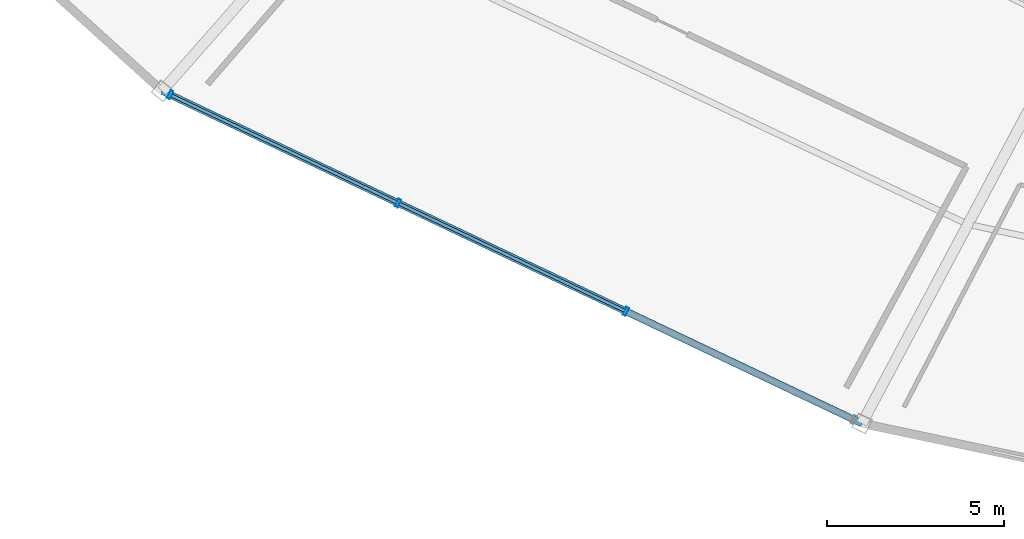
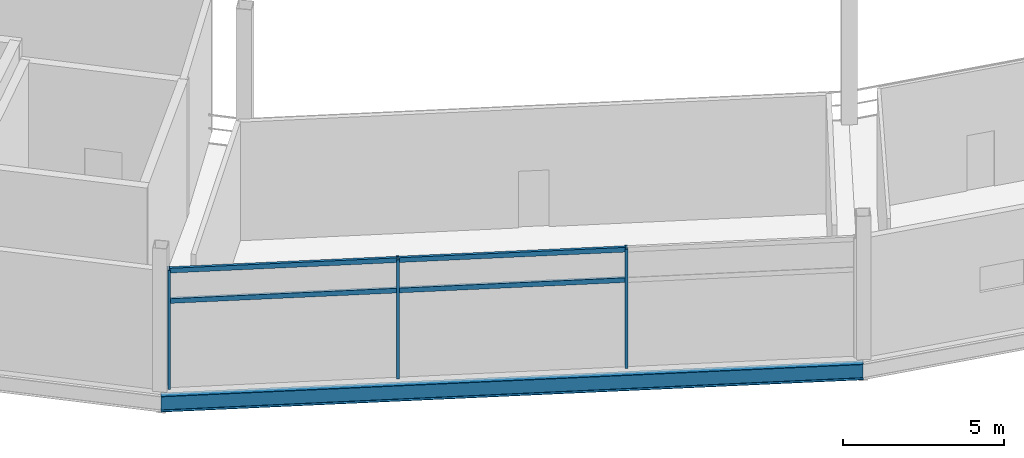
# One storey, part 13 of 103: 7 members, 1 beam, 1 element without a shape of its own.
"""IFC4 building model written with IfcOpenShell, lengths in metres."""

from ifc_helpers import new_model, si_unit, direction, frame, origin, origin_2d, place, context, subcontext, project, spatial, hollow_rectangle, i_section, extrude, material, layer, layer_set, material_profile, profile_set, type_object, element, aggregate, save


model = new_model("IFC4")

# Units and contexts
model_context = context("Model", 3, precision=1e-05, world=origin(), true_north=direction((0.0, 1.0)))
body_context = subcontext(model_context, "Body", "Model", "MODEL_VIEW")
ifc_project = project(units=[si_unit("LENGTHUNIT", "METRE"), si_unit("AREAUNIT", "SQUARE_METRE"), si_unit("VOLUMEUNIT", "CUBIC_METRE"), si_unit("PLANEANGLEUNIT", "RADIAN"), si_unit("MASSUNIT", "GRAM", prefix="KILO")], contexts=[model_context])

# Site, building, storey
site_placement = place(None, origin())
site = spatial("IfcSite", under=ifc_project, at=site_placement, CompositionType="ELEMENT")
building_placement = place(site_placement, origin())
building = spatial("IfcBuilding", under=site, at=building_placement, Name="Kazemori Nagisa Stadium", CompositionType="ELEMENT")
storey_placement = place(building_placement, frame((0.0, 0.0, 25.840087890625)))
storey = spatial("IfcBuildingStorey", under=building, at=storey_placement, Name="L05", CompositionType="ELEMENT", Elevation=25.840087890625)

# Beam
ifc_material_1 = material(Name="Steel SN490B", Category="steel")
ifc_material_profile_1 = material_profile(ifc_material_1, i_section(OverallWidth=0.199951171875, OverallDepth=0.60009765625, WebThickness=0.010986328125, FlangeThickness=0.01708984375, FilletRadius=0.012939453125, at=origin_2d()), Name="H-600x200x11x17")
ifc_profile_set_1 = profile_set([ifc_material_profile_1], Name="Steel SN490B")
beam_type = type_object("IfcBeamType", Name="Beam_BS-H600", PredefinedType="SPANDREL", material=ifc_profile_set_1)
beam_placement = place(storey_placement, frame((60.402099609375, 30.94091796875, -0.56005859375), z_axis=(0.903215644095, -0.429187022475, 0.0), x_axis=(0.429187022475, 0.903215644095, 0.0)))
element("IfcBeam", 1, at=beam_placement, inside=storey, type_object=beam_type, Name="Ring girder BS-H600 L05 R3-19", PredefinedType="SPANDREL", context=body_context, shape_type="SweptSolid", body=[
    extrude(i_section(OverallWidth=0.199951171875, OverallDepth=0.60009765625, WebThickness=0.010986328125, FlangeThickness=0.01708984375, FilletRadius=0.012939453125, at=origin_2d()), origin(), (0.0, 0.0, 1.0), 21.9140625),
])

# Curtain wall, members
ifc_material_2 = material(Name="Anodised aluminium 6063-T5", Category="aluminium")
ifc_layer = layer(ifc_material_2, 0.239990234375, Name="Anodised aluminium 6063-T5", Category="aluminium")
ifc_layer_set = layer_set([ifc_layer], Name="Anodised aluminium 6063-T5")
curtain_wall_type = type_object("IfcCurtainWallType", Name="CW_L05R3_107", PredefinedType="USERDEFINED", material=ifc_layer_set)
curtain_wall_placement = place(storey_placement, origin())
curtain_wall = element("IfcCurtainWall", 2, at=curtain_wall_placement, inside=storey, type_object=curtain_wall_type, Name="Unitised curtain wall CW-L05R3-107 L05", ObjectType="UNITISED CURTAIN WALL", PredefinedType="USERDEFINED")
ifc_material_3 = material(Name="Aluminium 6063-T5 anodised", Category="aluminium")
ifc_material_profile_2 = material_profile(ifc_material_3, hollow_rectangle(XDim=0.090087890625, YDim=0.239990234375, WallThickness=0.0048828125, at=origin_2d()), Name="ALU-MULL-90x240x5")
ifc_profile_set_2 = profile_set([ifc_material_profile_2], Name="Aluminium 6063-T5 anodised")
member_type_1 = type_object("IfcMemberType", Name="Mullion_M03", PredefinedType="MULLION", material=ifc_profile_set_2)
member_1_placement = place(storey_placement, frame((60.63232421875, 30.83154296875, 0.0), z_axis=(0.0, 0.0, 1.0), x_axis=(0.903215892654, -0.429186499388, 0.0)))
member_1 = element("IfcMember", 3, at=member_1_placement, type_object=member_type_1, Name="Curtain wall mullion CW-L05R3-107-M1", PredefinedType="MULLION", context=body_context, shape_type="SweptSolid", body=[
    extrude(hollow_rectangle(XDim=0.090087890625, YDim=0.239990234375, WallThickness=0.0048828125, at=origin_2d()), origin(), (0.0, 0.0, 1.0), 4.530029296875),
])
member_2_placement = place(storey_placement, frame((67.07666015625, 27.76953125, 0.0), z_axis=(0.0, 0.0, 1.0), x_axis=(0.903215892654, -0.429186499388, 0.0)))
member_2 = element("IfcMember", 4, at=member_2_placement, type_object=member_type_1, Name="Curtain wall mullion CW-L05R3-107-M2", PredefinedType="MULLION", context=body_context, shape_type="SweptSolid", body=[
    extrude(hollow_rectangle(XDim=0.090087890625, YDim=0.239990234375, WallThickness=0.0048828125, at=origin_2d()), origin(), (0.0, 0.0, 1.0), 4.530029296875),
])
member_3_placement = place(storey_placement, frame((73.520751953125, 24.707275390625, 0.0), z_axis=(0.0, 0.0, 1.0), x_axis=(0.903215892654, -0.429186499388, 0.0)))
member_3 = element("IfcMember", 5, at=member_3_placement, type_object=member_type_1, Name="Curtain wall mullion CW-L05R3-107-M3", PredefinedType="MULLION", context=body_context, shape_type="SweptSolid", body=[
    extrude(hollow_rectangle(XDim=0.090087890625, YDim=0.239990234375, WallThickness=0.0048828125, at=origin_2d()), origin(), (0.0, 0.0, 1.0), 4.530029296875),
])
ifc_material_profile_3 = material_profile(ifc_material_3, hollow_rectangle(XDim=0.090087890625, YDim=0.179931640625, WallThickness=0.0048828125, at=origin_2d()), Name="ALU-TRAN-90x180x5")
ifc_profile_set_3 = profile_set([ifc_material_profile_3], Name="Aluminium 6063-T5 anodised")
member_type_2 = type_object("IfcMemberType", Name="Transom_T03", PredefinedType="USERDEFINED", material=ifc_profile_set_3)
member_4_placement = place(storey_placement, frame((60.650390625, 30.822998046875, 3.306884765625), z_axis=(0.903221484367, -0.429174731523, 0.0), x_axis=(0.429174731523, 0.903221484367, 0.0)))
member_4 = element("IfcMember", 6, at=member_4_placement, type_object=member_type_2, Name="Curtain wall transom CW-L05R3-107-T1-mid", ObjectType="TRANSOM", PredefinedType="USERDEFINED", context=body_context, shape_type="SweptSolid", body=[
    extrude(hollow_rectangle(XDim=0.090087890625, YDim=0.179931640625, WallThickness=0.0048828125, at=origin_2d()), origin(), (0.0, 0.0, 1.0), 7.0947265625),
])
member_5_placement = place(storey_placement, frame((60.650390625, 30.822998046875, 4.4599609375), z_axis=(0.903221484367, -0.429174731523, 0.0), x_axis=(0.429174731523, 0.903221484367, 0.0)))
member_5 = element("IfcMember", 7, at=member_5_placement, type_object=member_type_2, Name="Curtain wall transom CW-L05R3-107-T1-head", ObjectType="TRANSOM", PredefinedType="USERDEFINED", context=body_context, shape_type="SweptSolid", body=[
    extrude(hollow_rectangle(XDim=0.090087890625, YDim=0.179931640625, WallThickness=0.0048828125, at=origin_2d()), origin(), (0.0, 0.0, 1.0), 7.0947265625),
])
member_6_placement = place(storey_placement, frame((67.0947265625, 27.760986328125, 3.306884765625), z_axis=(0.903201805793, -0.429216143699, 0.0), x_axis=(0.429216143699, 0.903201805793, 0.0)))
member_6 = element("IfcMember", 8, at=member_6_placement, type_object=member_type_2, Name="Curtain wall transom CW-L05R3-107-T2-mid", ObjectType="TRANSOM", PredefinedType="USERDEFINED", context=body_context, shape_type="SweptSolid", body=[
    extrude(hollow_rectangle(XDim=0.090087890625, YDim=0.179931640625, WallThickness=0.0048828125, at=origin_2d()), origin(), (0.0, 0.0, 1.0), 7.0947265625),
])
member_7_placement = place(storey_placement, frame((67.0947265625, 27.760986328125, 4.4599609375), z_axis=(0.903201805793, -0.429216143699, 0.0), x_axis=(0.429216143699, 0.903201805793, 0.0)))
member_7 = element("IfcMember", 9, at=member_7_placement, type_object=member_type_2, Name="Curtain wall transom CW-L05R3-107-T2-head", ObjectType="TRANSOM", PredefinedType="USERDEFINED", context=body_context, shape_type="SweptSolid", body=[
    extrude(hollow_rectangle(XDim=0.090087890625, YDim=0.179931640625, WallThickness=0.0048828125, at=origin_2d()), origin(), (0.0, 0.0, 1.0), 7.0947265625),
])
aggregate(curtain_wall, [member_1, member_2, member_3, member_4, member_5, member_6, member_7])

save(model, "model.ifc")
